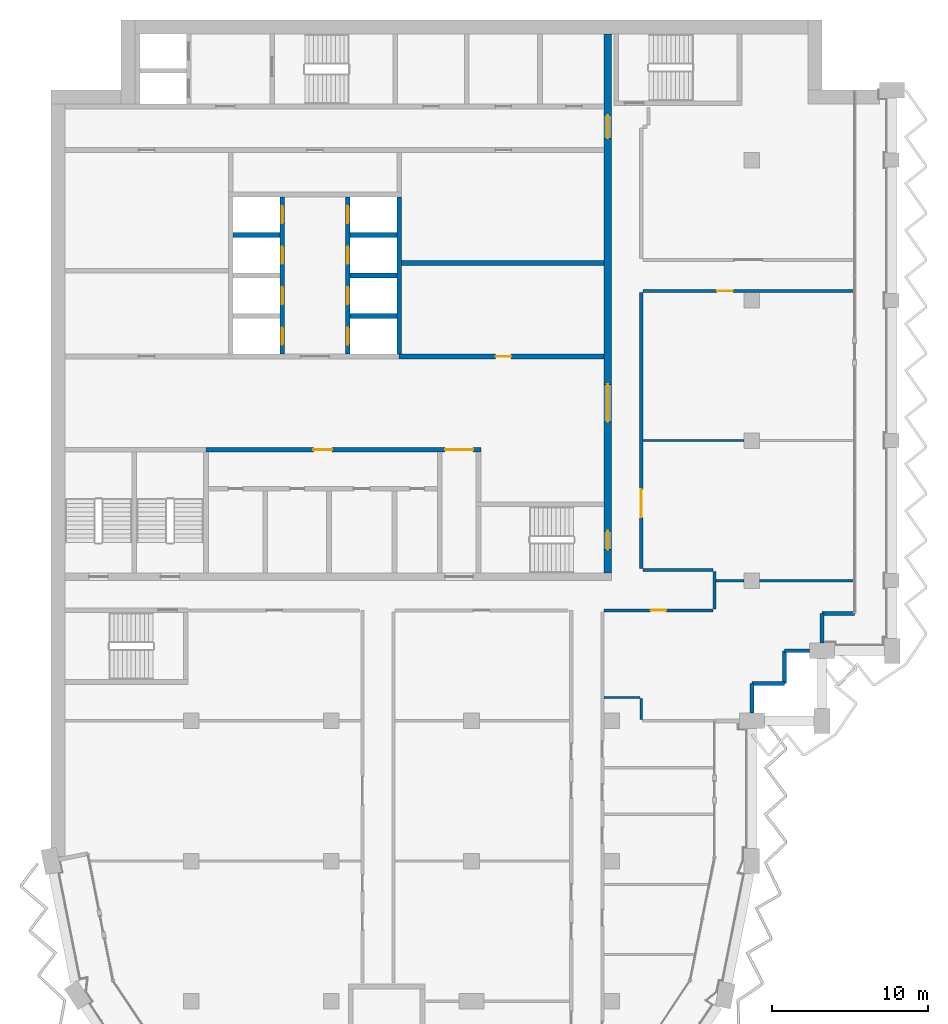
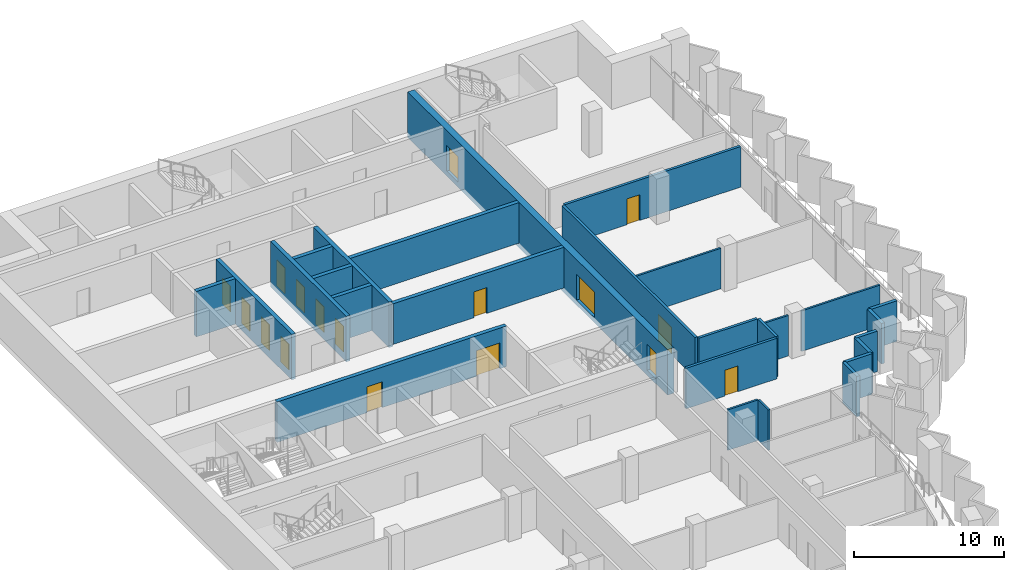
# One storey, part 9 of 16: 27 walls, 17 doors, 17 openings.
"""IFC4 building model written with IfcOpenShell, lengths in metres."""

from ifc_helpers import new_model, si_unit, direction, frame, frame_2d, origin, place, context, subcontext, project, spatial, rectangle, extrude, material, layer, layer_set, type_object, element, fill, save


model = new_model("IFC4")

# Units and contexts
model_context = context("Model", 3, precision=1e-05, world=origin(), true_north=direction((0.0, 1.0)))
body_context = subcontext(model_context, "Body", "Model", "MODEL_VIEW")
ifc_project = project(units=[si_unit("LENGTHUNIT", "METRE"), si_unit("AREAUNIT", "SQUARE_METRE"), si_unit("VOLUMEUNIT", "CUBIC_METRE"), si_unit("PLANEANGLEUNIT", "RADIAN"), si_unit("MASSUNIT", "GRAM", prefix="KILO")], contexts=[model_context])

# Site, building, storey
site_placement = place(None, origin())
site = spatial("IfcSite", under=ifc_project, at=site_placement, CompositionType="ELEMENT")
building_placement = place(site_placement, origin())
building = spatial("IfcBuilding", under=site, at=building_placement, Name="Hunhe Ridgeline Campus", CompositionType="ELEMENT")
storey_placement = place(building_placement, frame((0.0, 0.0, 257.699951171875)))
storey = spatial("IfcBuildingStorey", under=building, at=storey_placement, Name="L66", CompositionType="ELEMENT", Elevation=257.699951171875)

# Wall, openings, doors
ifc_material_1 = material(Name="Masonry concrete blockwork", Category="masonry")
ifc_layer_1 = layer(ifc_material_1, 0.300048828125)
ifc_layer_set_1 = layer_set([ifc_layer_1], Name="Core room partition 300 concrete block")
wall_type_1 = type_object("IfcWallType", Name="Core room partition 300 concrete block", PredefinedType="PARTITIONING", material=ifc_layer_set_1)
wall_1_placement = place(storey_placement, frame((9.949951171875, 71.39990234375, 0.0), z_axis=(0.0, 0.0, 1.0), x_axis=(1.0, 0.0, 0.0)))
wall_1 = element("IfcWall", 1, at=wall_1_placement, inside=storey, type_object=wall_type_1, Name="L66 core partition 9", PredefinedType="PARTITIONING", context=body_context, shape_type="SweptSolid", body=[
    extrude(rectangle(XDim=17.650146484375, YDim=0.300048828125, at=frame_2d((8.8251953125, 0.0))), origin(), (0.0, 0.0, 1.0), 3.300048828125),
])
opening_1_placement = place(wall_1_placement, frame((15.35009765625, 0.0, 0.0)))
opening_1 = element("IfcOpeningElement", 2, at=opening_1_placement, cuts=wall_1, Name="Opening CD7", PredefinedType="OPENING", context=body_context, shape_type="SweptSolid", body=[
    extrude(rectangle(XDim=1.800048828125, YDim=2.10009765625, at=frame_2d((0.89990234375, 1.050048828125))), frame((0.0, 0.14990234375, 0.0), z_axis=(0.0, -1.0, 0.0), x_axis=(1.0, 0.0, 0.0)), (0.0, 0.0, 1.0), 0.300048828125),
])
opening_2_placement = place(wall_1_placement, frame((6.89990234375, 0.0, 0.0)))
opening_2 = element("IfcOpeningElement", 3, at=opening_2_placement, cuts=wall_1, Name="Opening CD37", PredefinedType="OPENING", context=body_context, shape_type="SweptSolid", body=[
    extrude(rectangle(XDim=1.199951171875, YDim=2.10009765625, at=frame_2d((0.60009765625, 1.050048828125))), frame((0.0, 0.14990234375, 0.0), z_axis=(0.0, -1.0, 0.0), x_axis=(1.0, 0.0, 0.0)), (0.0, 0.0, 1.0), 0.300048828125),
])
ifc_material_2 = material(Name="Anodised aluminium and glass", Category="aluminium")
door_type_1 = type_object("IfcDoorType", Name="Glazed double door 1800x2100", OperationType="DOUBLE_DOOR_SINGLE_SWING", PredefinedType="DOOR", material=ifc_material_2)
door_1_placement = place(opening_1_placement, origin())
door_1 = element("IfcDoor", 4, at=door_1_placement, inside=storey, type_object=door_type_1, Name="L66 door VEST-HALL", OperationType="DOUBLE_DOOR_SINGLE_SWING", OverallHeight=2.10009765625, OverallWidth=1.800048828125, PredefinedType="DOOR", context=body_context, shape_type="SweptSolid", body=[
    extrude(rectangle(XDim=1.800048828125, YDim=2.10009765625, at=frame_2d((0.89990234375, 1.050048828125))), frame((0.0, 0.02490234375, 0.0), z_axis=(0.0, -1.0, 0.0), x_axis=(1.0, 0.0, 0.0)), (0.0, 0.0, 1.0), 0.050048828125),
])
fill(opening_1, door_1)
ifc_material_3 = material(Name="Solid core timber door leaf", Category="wood")
door_type_2 = type_object("IfcDoorType", Name="Timber door 1200x2100", OperationType="SINGLE_SWING_LEFT", PredefinedType="DOOR", material=ifc_material_3)
door_2_placement = place(opening_2_placement, origin())
door_2 = element("IfcDoor", 5, at=door_2_placement, inside=storey, type_object=door_type_2, Name="L66 door WCL1-HALL", OperationType="SINGLE_SWING_RIGHT", OverallHeight=2.10009765625, OverallWidth=1.199951171875, PredefinedType="DOOR", context=body_context, shape_type="SweptSolid", body=[
    extrude(rectangle(XDim=1.199951171875, YDim=2.10009765625, at=frame_2d((0.60009765625, 1.050048828125))), frame((0.0, 0.02490234375, 0.0), z_axis=(0.0, -1.0, 0.0), x_axis=(1.0, 0.0, 0.0)), (0.0, 0.0, 1.0), 0.050048828125),
])
fill(opening_2, door_2)

# Wall, opening, door
wall_2_placement = place(storey_placement, frame((22.35009765625, 77.39990234375, 0.0), z_axis=(0.0, 0.0, 1.0), x_axis=(1.0, 0.0, 0.0)))
wall_2 = element("IfcWall", 6, at=wall_2_placement, inside=storey, type_object=wall_type_1, Name="L66 core partition 11", PredefinedType="PARTITIONING", context=body_context, shape_type="SweptSolid", body=[
    extrude(rectangle(XDim=13.14990234375, YDim=0.300048828125, at=frame_2d((6.574951171875, 0.0))), origin(), (0.0, 0.0, 1.0), 3.300048828125),
])
opening_3_placement = place(wall_2_placement, frame((6.199951171875, 0.0, 0.0)))
opening_3 = element("IfcOpeningElement", 7, at=opening_3_placement, cuts=wall_2, Name="Opening CD32", PredefinedType="OPENING", context=body_context, shape_type="SweptSolid", body=[
    extrude(rectangle(XDim=1.0, YDim=2.10009765625, at=frame_2d((0.5, 1.050048828125))), frame((0.0, 0.14990234375, 0.0), z_axis=(0.0, -1.0, 0.0), x_axis=(1.0, 0.0, 0.0)), (0.0, 0.0, 1.0), 0.300048828125),
])
door_type_3 = type_object("IfcDoorType", Name="Timber door 1000x2100", OperationType="SINGLE_SWING_LEFT", PredefinedType="DOOR", material=ifc_material_3)
door_3_placement = place(opening_3_placement, origin())
door_3 = element("IfcDoor", 8, at=door_3_placement, inside=storey, type_object=door_type_3, Name="L66 door ES0", OperationType="SINGLE_SWING_LEFT", OverallHeight=2.10009765625, OverallWidth=1.0, PredefinedType="DOOR", context=body_context, shape_type="SweptSolid", body=[
    extrude(rectangle(XDim=1.0, YDim=2.10009765625, at=frame_2d((0.5, 1.050048828125))), frame((0.0, 0.02490234375, 0.0), z_axis=(0.0, -1.0, 0.0), x_axis=(1.0, 0.0, 0.0)), (0.0, 0.0, 1.0), 0.050048828125),
])
fill(opening_3, door_3)

# Wall
wall_3_placement = place(storey_placement, frame((22.5, 83.39990234375, 0.0), z_axis=(0.0, 0.0, 1.0), x_axis=(1.0, 0.0, 0.0)))
element("IfcWall", 9, at=wall_3_placement, inside=storey, type_object=wall_type_1, Name="L66 core partition 17", PredefinedType="PARTITIONING", context=body_context, shape_type="SweptSolid", body=[
    extrude(rectangle(XDim=13.0, YDim=0.300048828125, at=frame_2d((6.5, 0.0))), origin(), (0.0, 0.0, 1.0), 3.300048828125),
])

# Wall, openings, doors
ifc_material_4 = material(Name="Concrete C50", Category="concrete")
ifc_layer_2 = layer(ifc_material_4, 0.5)
ifc_layer_set_2 = layer_set([ifc_layer_2], Name="Core wall 500 reinforced concrete C50")
wall_type_2 = type_object("IfcWallType", Name="Core wall 500 reinforced concrete C50", PredefinedType="SOLIDWALL", material=ifc_layer_set_2)
wall_4_placement = place(storey_placement, frame((35.75, 63.5, -0.39990234375), z_axis=(0.0, 0.0, 1.0), x_axis=(0.0, 1.0, 0.0)))
wall_4 = element("IfcWall", 10, at=wall_4_placement, inside=storey, type_object=wall_type_2, Name="L66 core wall 48", PredefinedType="SOLIDWALL", context=body_context, shape_type="SweptSolid", body=[
    extrude(rectangle(XDim=34.60009765625, YDim=0.5, at=frame_2d((17.300048828125, 0.0))), origin(), (0.0, 0.0, 1.0), 3.699951171875),
])
opening_4_placement = place(wall_4_placement, frame((9.699951171875, 0.0, 0.39990234375)))
opening_4 = element("IfcOpeningElement", 11, at=opening_4_placement, cuts=wall_4, Name="Opening CD4", PredefinedType="OPENING", context=body_context, shape_type="SweptSolid", body=[
    extrude(rectangle(XDim=2.39990234375, YDim=2.10009765625, at=frame_2d((1.199951171875, 1.050048828125))), frame((0.0, 0.25, 0.0), z_axis=(0.0, -1.0, 0.0), x_axis=(1.0, 0.0, 0.0)), (0.0, 0.0, 1.0), 0.5),
])
opening_5_placement = place(wall_4_placement, frame((27.89990234375, 0.0, 0.39990234375)))
opening_5 = element("IfcOpeningElement", 12, at=opening_5_placement, cuts=wall_4, Name="Opening CD5", PredefinedType="OPENING", context=body_context, shape_type="SweptSolid", body=[
    extrude(rectangle(XDim=1.5, YDim=2.10009765625, at=frame_2d((0.75, 1.050048828125))), frame((0.0, 0.25, 0.0), z_axis=(0.0, -1.0, 0.0), x_axis=(1.0, 0.0, 0.0)), (0.0, 0.0, 1.0), 0.5),
])
opening_6_placement = place(wall_4_placement, frame((1.5, 0.0, 0.39990234375)))
opening_6 = element("IfcOpeningElement", 13, at=opening_6_placement, cuts=wall_4, Name="Opening CD15", PredefinedType="OPENING", context=body_context, shape_type="SweptSolid", body=[
    extrude(rectangle(XDim=1.199951171875, YDim=2.10009765625, at=frame_2d((0.60009765625, 1.050048828125))), frame((0.0, 0.25, 0.0), z_axis=(0.0, -1.0, 0.0), x_axis=(1.0, 0.0, 0.0)), (0.0, 0.0, 1.0), 0.5),
])
door_type_4 = type_object("IfcDoorType", Name="Glazed double door 2400x2100", OperationType="DOUBLE_DOOR_SINGLE_SWING", PredefinedType="DOOR", material=ifc_material_2)
door_4_placement = place(opening_4_placement, frame((2.39990234375, 0.0, 0.0), z_axis=(0.0, 0.0, 1.0), x_axis=(-1.0, 0.0, 0.0)))
door_4 = element("IfcDoor", 14, at=door_4_placement, inside=storey, type_object=door_type_4, Name="L66 door HALL-FLOOR", OperationType="DOUBLE_DOOR_SINGLE_SWING", OverallHeight=2.10009765625, OverallWidth=2.39990234375, PredefinedType="DOOR", context=body_context, shape_type="SweptSolid", body=[
    extrude(rectangle(XDim=2.39990234375, YDim=2.10009765625, at=frame_2d((1.199951171875, 1.050048828125))), frame((0.0, 0.02490234375, 0.0), z_axis=(0.0, -1.0, 0.0), x_axis=(1.0, 0.0, 0.0)), (0.0, 0.0, 1.0), 0.050048828125),
])
fill(opening_4, door_4)
ifc_material_5 = material(Name="Hollow metal fire door leaf")
door_type_5 = type_object("IfcDoorType", Name="Stair door 1200x2100 FD60", OperationType="SINGLE_SWING_LEFT", PredefinedType="DOOR", material=ifc_material_5)
door_5_placement = place(opening_6_placement, frame((1.199951171875, 0.0, 0.0), z_axis=(0.0, 0.0, 1.0), x_axis=(-1.0, 0.0, 0.0)))
door_5 = element("IfcDoor", 15, at=door_5_placement, inside=storey, type_object=door_type_5, Name="L66 door S2-FLOOR", OperationType="SINGLE_SWING_LEFT", OverallHeight=2.10009765625, OverallWidth=1.199951171875, PredefinedType="DOOR", context=body_context, shape_type="SweptSolid", body=[
    extrude(rectangle(XDim=1.199951171875, YDim=2.10009765625, at=frame_2d((0.60009765625, 1.050048828125))), frame((0.0, 0.02490234375, 0.0), z_axis=(0.0, -1.0, 0.0), x_axis=(1.0, 0.0, 0.0)), (0.0, 0.0, 1.0), 0.050048828125),
])
fill(opening_6, door_5)
door_type_6 = type_object("IfcDoorType", Name="Timber door 1500x2100", OperationType="SINGLE_SWING_LEFT", PredefinedType="DOOR", material=ifc_material_3)
door_6_placement = place(opening_5_placement, frame((1.5, 0.0, 0.0), z_axis=(0.0, 0.0, 1.0), x_axis=(-1.0, 0.0, 0.0)))
door_6 = element("IfcDoor", 16, at=door_6_placement, inside=storey, type_object=door_type_6, Name="L66 door C1-FLOOR", OperationType="SINGLE_SWING_LEFT", OverallHeight=2.10009765625, OverallWidth=1.5, PredefinedType="DOOR", context=body_context, shape_type="SweptSolid", body=[
    extrude(rectangle(XDim=1.5, YDim=2.10009765625, at=frame_2d((0.75, 1.050048828125))), frame((0.0, 0.02490234375, 0.0), z_axis=(0.0, -1.0, 0.0), x_axis=(1.0, 0.0, 0.0)), (0.0, 0.0, 1.0), 0.050048828125),
])
fill(opening_5, door_6)

# Walls
ifc_material_6 = material(Name="Concrete C30", Category="concrete")
ifc_layer_3 = layer(ifc_material_6, 0.25)
ifc_layer_set_3 = layer_set([ifc_layer_3], Name="Corner return wall 250 Concrete C30")
wall_type_3 = type_object("IfcWallType", Name="Corner return wall 250 Concrete C30", PredefinedType="SOLIDWALL", material=ifc_layer_set_3)
wall_5_placement = place(storey_placement, frame((44.9990234375, 54.5, 0.0), z_axis=(0.0, 0.0, 1.0), x_axis=(0.000128452151, 0.99999999175, 0.0)))
element("IfcWall", 17, at=wall_5_placement, inside=storey, type_object=wall_type_3, Name="Corner return wall 3", PredefinedType="SOLIDWALL", context=body_context, shape_type="SweptSolid", body=[
    extrude(rectangle(XDim=1.900634765625, YDim=0.25, at=frame_2d((0.9501953125, 0.0))), origin(), (0.0, 0.0, 1.0), 3.300048828125),
])
wall_6_placement = place(storey_placement, frame((44.999267578125, 56.400634765625, 0.0), z_axis=(0.0, 0.0, 1.0), x_axis=(0.999999993241, 0.00011626555, 0.0)))
element("IfcWall", 18, at=wall_6_placement, inside=storey, type_object=wall_type_3, Name="Corner return wall 4", PredefinedType="SOLIDWALL", context=body_context, shape_type="SweptSolid", body=[
    extrude(rectangle(XDim=2.099853515625, YDim=0.25, at=frame_2d((1.0498046875, 0.0))), origin(), (0.0, 0.0, 1.0), 3.300048828125),
])
wall_7_placement = place(storey_placement, frame((47.09912109375, 56.40087890625, 0.0), z_axis=(0.0, 0.0, 1.0), x_axis=(0.000232504063, 0.999999972971, 0.0)))
element("IfcWall", 19, at=wall_7_placement, inside=storey, type_object=wall_type_3, Name="Corner return wall 5", PredefinedType="SOLIDWALL", context=body_context, shape_type="SweptSolid", body=[
    extrude(rectangle(XDim=2.10009765625, YDim=0.25, at=frame_2d((1.050048828125, 0.0))), origin(), (0.0, 0.0, 1.0), 3.300048828125),
])
wall_8_placement = place(storey_placement, frame((47.099609375, 58.5009765625, 0.0), z_axis=(0.0, 0.0, 1.0), x_axis=(1.0, 0.0, 0.0)))
element("IfcWall", 20, at=wall_8_placement, inside=storey, type_object=wall_type_3, Name="Corner return wall 6", PredefinedType="SOLIDWALL", context=body_context, shape_type="SweptSolid", body=[
    extrude(rectangle(XDim=1.600341796875, YDim=0.25, at=frame_2d((0.80029296875, 0.0))), origin(), (0.0, 0.0, 1.0), 3.300048828125),
])
wall_9_placement = place(storey_placement, frame((49.4990234375, 59.0, 0.0), z_axis=(0.0, 0.0, 1.0), x_axis=(0.000256871299, 0.999999967009, 0.0)))
element("IfcWall", 21, at=wall_9_placement, inside=storey, type_object=wall_type_3, Name="Corner return wall 7", PredefinedType="SOLIDWALL", context=body_context, shape_type="SweptSolid", body=[
    extrude(rectangle(XDim=1.90087890625, YDim=0.25, at=frame_2d((0.950439453125, 0.0))), origin(), (0.0, 0.0, 1.0), 3.300048828125),
])
wall_10_placement = place(storey_placement, frame((49.49951171875, 60.90087890625, 0.0), z_axis=(0.0, 0.0, 1.0), x_axis=(1.0, 0.0, 0.0)))
element("IfcWall", 22, at=wall_10_placement, inside=storey, type_object=wall_type_3, Name="Corner return wall 8", PredefinedType="SOLIDWALL", context=body_context, shape_type="SweptSolid", body=[
    extrude(rectangle(XDim=2.099609375, YDim=0.25, at=frame_2d((1.0498046875, 0.0))), origin(), (0.0, 0.0, 1.0), 3.300048828125),
])

# Wall, opening, door
ifc_material_7 = material(Name="Gypsum board partition")
ifc_layer_4 = layer(ifc_material_7, 0.199951171875)
ifc_layer_set_4 = layer_set([ifc_layer_4], Name="Corridor partition 200 gypsum board on steel studs")
wall_type_4 = type_object("IfcWallType", Name="Corridor partition 200 gypsum board on steel studs", PredefinedType="PARTITIONING", material=ifc_layer_set_4)
wall_11_placement = place(storey_placement, frame((42.5, 61.10009765625, 0.0), z_axis=(0.0, 0.0, 1.0), x_axis=(-1.0, 0.0, 0.0)))
wall_11 = element("IfcWall", 23, at=wall_11_placement, inside=storey, type_object=wall_type_4, Name="F-L66-wall-023", PredefinedType="PARTITIONING", context=body_context, shape_type="SweptSolid", body=[
    extrude(rectangle(XDim=7.0, YDim=0.199951171875, at=frame_2d((3.5, 0.0))), origin(), (0.0, 0.0, 1.0), 3.300048828125),
])
opening_7_placement = place(wall_11_placement, frame((3.0, 0.0, 0.0)))
opening_7 = element("IfcOpeningElement", 24, at=opening_7_placement, cuts=wall_11, Name="Opening RD1-017", PredefinedType="OPENING", context=body_context, shape_type="SweptSolid", body=[
    extrude(rectangle(XDim=1.0, YDim=2.10009765625, at=frame_2d((0.5, 1.050048828125))), frame((0.0, 0.10009765625, 0.0), z_axis=(0.0, -1.0, 0.0), x_axis=(1.0, 0.0, 0.0)), (0.0, 0.0, 1.0), 0.199951171875),
])
ifc_material_8 = material(Name="Timber door leaf", Category="wood")
door_type_7 = type_object("IfcDoorType", Name="Single fire door 1000x2100 timber FD60", OperationType="NOTDEFINED", PredefinedType="DOOR", material=ifc_material_8)
door_7_placement = place(opening_7_placement, origin())
door_7 = element("IfcDoor", 25, at=door_7_placement, inside=storey, type_object=door_type_7, Name="F-L66-door-017", OperationType="SINGLE_SWING_LEFT", OverallHeight=2.10009765625, OverallWidth=1.0, PredefinedType="DOOR", context=body_context, shape_type="SweptSolid", body=[
    extrude(rectangle(XDim=1.0, YDim=2.10009765625, at=frame_2d((0.5, 1.050048828125))), frame((0.0, 0.02490234375, 0.0), z_axis=(0.0, -1.0, 0.0), x_axis=(1.0, 0.0, 0.0)), (0.0, 0.0, 1.0), 0.050048828125),
])
fill(opening_7, door_7)

# Wall
wall_12_placement = place(storey_placement, frame((38.0, 63.699951171875, 0.0), z_axis=(0.0, 0.0, 1.0), x_axis=(1.0, 0.0, 0.0)))
element("IfcWall", 26, at=wall_12_placement, inside=storey, type_object=wall_type_4, Name="F-L66-wall-026", PredefinedType="PARTITIONING", context=body_context, shape_type="SweptSolid", body=[
    extrude(rectangle(XDim=4.5, YDim=0.199951171875, at=frame_2d((2.25, 0.0))), origin(), (0.0, 0.0, 1.0), 3.300048828125),
])

# Wall, opening, door
wall_13_placement = place(storey_placement, frame((51.544921875, 81.60009765625, 0.0), z_axis=(0.0, 0.0, 1.0), x_axis=(-1.0, 0.0, 0.0)))
wall_13 = element("IfcWall", 27, at=wall_13_placement, inside=storey, type_object=wall_type_4, Name="F-L66-wall-029", PredefinedType="PARTITIONING", context=body_context, shape_type="SweptSolid", body=[
    extrude(rectangle(XDim=13.544921875, YDim=0.199951171875, at=frame_2d((6.7724609375, 0.0))), origin(), (0.0, 0.0, 1.0), 3.300048828125),
])
opening_8_placement = place(wall_13_placement, frame((7.7724609375, 0.0, 0.0)))
opening_8 = element("IfcOpeningElement", 28, at=opening_8_placement, cuts=wall_13, Name="Opening RD1-019", PredefinedType="OPENING", context=body_context, shape_type="SweptSolid", body=[
    extrude(rectangle(XDim=1.0, YDim=2.10009765625, at=frame_2d((0.5, 1.050048828125))), frame((0.0, 0.10009765625, 0.0), z_axis=(0.0, -1.0, 0.0), x_axis=(1.0, 0.0, 0.0)), (0.0, 0.0, 1.0), 0.199951171875),
])
door_8_placement = place(opening_8_placement, origin())
door_8 = element("IfcDoor", 29, at=door_8_placement, inside=storey, type_object=door_type_7, Name="F-L66-door-019", OperationType="SINGLE_SWING_RIGHT", OverallHeight=2.10009765625, OverallWidth=1.0, PredefinedType="DOOR", context=body_context, shape_type="SweptSolid", body=[
    extrude(rectangle(XDim=1.0, YDim=2.10009765625, at=frame_2d((0.5, 1.050048828125))), frame((0.0, 0.02490234375, 0.0), z_axis=(0.0, -1.0, 0.0), x_axis=(1.0, 0.0, 0.0)), (0.0, 0.0, 1.0), 0.050048828125),
])
fill(opening_8, door_8)

wall_14_placement = place(storey_placement, frame((37.89990234375, 81.5, 0.0), z_axis=(0.0, 0.0, 1.0), x_axis=(0.0, -1.0, 0.0)))
wall_14 = element("IfcWall", 30, at=wall_14_placement, inside=storey, type_object=wall_type_4, Name="F-L66-wall-039", PredefinedType="PARTITIONING", context=body_context, shape_type="SweptSolid", body=[
    extrude(rectangle(XDim=17.699951171875, YDim=0.199951171875, at=frame_2d((8.85009765625, 0.0))), origin(), (0.0, 0.0, 1.0), 3.300048828125),
])
opening_9_placement = place(wall_14_placement, frame((12.6279296875, 0.0, 0.0)))
opening_9 = element("IfcOpeningElement", 31, at=opening_9_placement, cuts=wall_14, Name="Opening RD2-018", PredefinedType="OPENING", context=body_context, shape_type="SweptSolid", body=[
    extrude(rectangle(XDim=1.800048828125, YDim=2.10009765625, at=frame_2d((0.89990234375, 1.050048828125))), frame((0.0, 0.10009765625, 0.0), z_axis=(0.0, -1.0, 0.0), x_axis=(1.0, 0.0, 0.0)), (0.0, 0.0, 1.0), 0.199951171875),
])
door_type_8 = type_object("IfcDoorType", Name="Double fire door 1800x2100 timber FD60", OperationType="DOUBLE_DOOR_SINGLE_SWING", PredefinedType="DOOR", material=ifc_material_8)
door_9_placement = place(opening_9_placement, origin())
door_9 = element("IfcDoor", 32, at=door_9_placement, inside=storey, type_object=door_type_8, Name="F-L66-door-018", OperationType="DOUBLE_DOOR_SINGLE_SWING", OverallHeight=2.10009765625, OverallWidth=1.800048828125, PredefinedType="DOOR", context=body_context, shape_type="SweptSolid", body=[
    extrude(rectangle(XDim=1.800048828125, YDim=2.10009765625, at=frame_2d((0.89990234375, 1.050048828125))), frame((0.0, 0.02490234375, 0.0), z_axis=(0.0, -1.0, 0.0), x_axis=(1.0, 0.0, 0.0)), (0.0, 0.0, 1.0), 0.050048828125),
])
fill(opening_9, door_9)

# Walls
wall_15_placement = place(storey_placement, frame((42.60009765625, 63.60009765625, 0.0), z_axis=(0.0, 0.0, 1.0), x_axis=(0.0, -1.0, 0.0)))
element("IfcWall", 33, at=wall_15_placement, inside=storey, type_object=wall_type_4, Name="F-L66-wall-042", PredefinedType="PARTITIONING", context=body_context, shape_type="SweptSolid", body=[
    extrude(rectangle(XDim=2.400146484375, YDim=0.199951171875, at=frame_2d((1.2001953125, 0.0))), origin(), (0.0, 0.0, 1.0), 3.300048828125),
])
ifc_layer_5 = layer(ifc_material_7, 0.14990234375)
ifc_layer_set_5 = layer_set([ifc_layer_5], Name="Room partition 150 gypsum board on steel studs")
wall_type_5 = type_object("IfcWallType", Name="Room partition 150 gypsum board on steel studs", PredefinedType="PARTITIONING", material=ifc_layer_set_5)
wall_16_placement = place(storey_placement, frame((35.5, 55.5, 0.0), z_axis=(0.0, 0.0, 1.0), x_axis=(1.0, 0.0, 0.0)))
element("IfcWall", 34, at=wall_16_placement, inside=storey, type_object=wall_type_5, Name="F-L66-wall-020", PredefinedType="PARTITIONING", context=body_context, shape_type="SweptSolid", body=[
    extrude(rectangle(XDim=2.324951171875, YDim=0.14990234375, at=frame_2d((1.16259765625, 0.0))), origin(), (0.0, 0.0, 1.0), 3.300048828125),
])
wall_17_placement = place(storey_placement, frame((42.699951171875, 63.0, 0.0), z_axis=(0.0, 0.0, 1.0), x_axis=(1.0, 0.0, 0.0)))
element("IfcWall", 35, at=wall_17_placement, inside=storey, type_object=wall_type_5, Name="F-L66-wall-024", PredefinedType="PARTITIONING", context=body_context, shape_type="SweptSolid", body=[
    extrude(rectangle(XDim=1.800048828125, YDim=0.14990234375, at=frame_2d((0.89990234375, 0.0))), origin(), (0.0, 0.0, 1.0), 3.300048828125),
])
wall_18_placement = place(storey_placement, frame((45.5, 63.0, 0.0), z_axis=(0.0, 0.0, 1.0), x_axis=(1.0, 0.0, 0.0)))
element("IfcWall", 36, at=wall_18_placement, inside=storey, type_object=wall_type_5, Name="F-L66-wall-025", PredefinedType="PARTITIONING", context=body_context, shape_type="SweptSolid", body=[
    extrude(rectangle(XDim=6.044921875, YDim=0.14990234375, at=frame_2d((3.0224609375, 0.0))), origin(), (0.0, 0.0, 1.0), 3.300048828125),
])
wall_19_placement = place(storey_placement, frame((38.0, 72.0, 0.0), z_axis=(0.0, 0.0, 1.0), x_axis=(1.0, 0.0, 0.0)))
element("IfcWall", 37, at=wall_19_placement, inside=storey, type_object=wall_type_5, Name="F-L66-wall-027", PredefinedType="PARTITIONING", context=body_context, shape_type="SweptSolid", body=[
    extrude(rectangle(XDim=6.5, YDim=0.14990234375, at=frame_2d((3.25, 0.0))), origin(), (0.0, 0.0, 1.0), 3.300048828125),
])
wall_20_placement = place(storey_placement, frame((37.89990234375, 55.425048828125, 0.0), z_axis=(0.0, 0.0, 1.0), x_axis=(0.0, -1.0, 0.0)))
element("IfcWall", 38, at=wall_20_placement, inside=storey, type_object=wall_type_5, Name="F-L66-wall-038", PredefinedType="PARTITIONING", context=body_context, shape_type="SweptSolid", body=[
    extrude(rectangle(XDim=1.35009765625, YDim=0.14990234375, at=frame_2d((0.675048828125, 0.0))), origin(), (0.0, 0.0, 1.0), 3.300048828125),
])
ifc_layer_6 = layer(ifc_material_4, 0.300048828125)
ifc_layer_set_6 = layer_set([ifc_layer_6], Name="Shaft wall 300 reinforced concrete C50")
wall_type_6 = type_object("IfcWallType", Name="Shaft wall 300 reinforced concrete C50", PredefinedType="SOLIDWALL", material=ifc_layer_set_6)
for number, where, z_axis, x_axis, name in (
    (39, (19.199951171875, 80.0, -0.39990234375), (0.0, 0.0, 1.0), (1.0, 0.0, 0.0), "L66 core wall 13"),
    (40, (19.199951171875, 82.60009765625, -0.39990234375), (0.0, 0.0, 1.0), (1.0, 0.0, 0.0), "L66 core wall 15"),
    (41, (11.699951171875, 85.199951171875, -0.39990234375), (0.0, 0.0, 1.0), (1.0, 0.0, 0.0), "L66 core wall 18"),
    (42, (19.199951171875, 85.199951171875, -0.39990234375), (0.0, 0.0, 1.0), (1.0, 0.0, 0.0), "L66 core wall 19"),
):
    element("IfcWall", number, at=place(storey_placement, frame(where, z_axis=z_axis, x_axis=x_axis)), inside=storey, type_object=wall_type_6, Name=name, PredefinedType="SOLIDWALL", context=body_context, shape_type="SweptSolid", body=[
        extrude(rectangle(XDim=3.0, YDim=0.300048828125, at=frame_2d((1.5, 0.0))), origin(), (0.0, 0.0, 1.0), 3.699951171875),
    ])

# Wall, openings, doors
wall_21_placement = place(storey_placement, frame((14.85009765625, 77.550048828125, -0.39990234375), z_axis=(0.0, 0.0, 1.0), x_axis=(0.0, 1.0, 0.0)))
wall_21 = element("IfcWall", 43, at=wall_21_placement, inside=storey, type_object=wall_type_6, Name="L66 core wall 34", PredefinedType="SOLIDWALL", context=body_context, shape_type="SweptSolid", body=[
    extrude(rectangle(XDim=10.099853515625, YDim=0.300048828125, at=frame_2d((5.0498046875, 0.0))), origin(), (0.0, 0.0, 1.0), 3.699951171875),
])
opening_10_placement = place(wall_21_placement, frame((0.60009765625, 0.0, 0.39990234375)))
opening_10 = element("IfcOpeningElement", 44, at=opening_10_placement, cuts=wall_21, Name="Opening LD-HR1", PredefinedType="OPENING", context=body_context, shape_type="SweptSolid", body=[
    extrude(rectangle(XDim=1.10009765625, YDim=2.10009765625, at=frame_2d((0.550048828125, 1.050048828125))), frame((0.0, 0.14990234375, 0.0), z_axis=(0.0, -1.0, 0.0), x_axis=(1.0, 0.0, 0.0)), (0.0, 0.0, 1.0), 0.300048828125),
])
opening_11_placement = place(wall_21_placement, frame((3.199951171875, 0.0, 0.39990234375)))
opening_11 = element("IfcOpeningElement", 45, at=opening_11_placement, cuts=wall_21, Name="Opening LD-HR2", PredefinedType="OPENING", context=body_context, shape_type="SweptSolid", body=[
    extrude(rectangle(XDim=1.10009765625, YDim=2.10009765625, at=frame_2d((0.550048828125, 1.050048828125))), frame((0.0, 0.14990234375, 0.0), z_axis=(0.0, -1.0, 0.0), x_axis=(1.0, 0.0, 0.0)), (0.0, 0.0, 1.0), 0.300048828125),
])
opening_12_placement = place(wall_21_placement, frame((5.800048828125, 0.0, 0.39990234375)))
opening_12 = element("IfcOpeningElement", 46, at=opening_12_placement, cuts=wall_21, Name="Opening LD-HR3", PredefinedType="OPENING", context=body_context, shape_type="SweptSolid", body=[
    extrude(rectangle(XDim=1.10009765625, YDim=2.10009765625, at=frame_2d((0.550048828125, 1.050048828125))), frame((0.0, 0.14990234375, 0.0), z_axis=(0.0, -1.0, 0.0), x_axis=(1.0, 0.0, 0.0)), (0.0, 0.0, 1.0), 0.300048828125),
])
opening_13_placement = place(wall_21_placement, frame((8.39990234375, 0.0, 0.39990234375)))
opening_13 = element("IfcOpeningElement", 47, at=opening_13_placement, cuts=wall_21, Name="Opening LD-HR4", PredefinedType="OPENING", context=body_context, shape_type="SweptSolid", body=[
    extrude(rectangle(XDim=1.10009765625, YDim=2.10009765625, at=frame_2d((0.550048828125, 1.050048828125))), frame((0.0, 0.14990234375, 0.0), z_axis=(0.0, -1.0, 0.0), x_axis=(1.0, 0.0, 0.0)), (0.0, 0.0, 1.0), 0.300048828125),
])
ifc_material_9 = material(Name="Stainless steel sliding leaves", Category="steel")
door_type_9 = type_object("IfcDoorType", Name="Landing door 1100x2100 FD120", OperationType="SLIDING_TO_LEFT", PredefinedType="DOOR", material=ifc_material_9)
door_10_placement = place(opening_10_placement, origin())
door_10 = element("IfcDoor", 48, at=door_10_placement, inside=storey, type_object=door_type_9, Name="L66 landing door HR1", OperationType="SLIDING_TO_RIGHT", OverallHeight=2.10009765625, OverallWidth=1.10009765625, PredefinedType="DOOR", context=body_context, shape_type="SweptSolid", body=[
    extrude(rectangle(XDim=1.10009765625, YDim=2.10009765625, at=frame_2d((0.550048828125, 1.050048828125))), frame((0.0, 0.02490234375, 0.0), z_axis=(0.0, -1.0, 0.0), x_axis=(1.0, 0.0, 0.0)), (0.0, 0.0, 1.0), 0.050048828125),
])
fill(opening_10, door_10)
door_11_placement = place(opening_11_placement, origin())
door_11 = element("IfcDoor", 49, at=door_11_placement, inside=storey, type_object=door_type_9, Name="L66 landing door HR2", OperationType="SLIDING_TO_LEFT", OverallHeight=2.10009765625, OverallWidth=1.10009765625, PredefinedType="DOOR", context=body_context, shape_type="SweptSolid", body=[
    extrude(rectangle(XDim=1.10009765625, YDim=2.10009765625, at=frame_2d((0.550048828125, 1.050048828125))), frame((0.0, 0.02490234375, 0.0), z_axis=(0.0, -1.0, 0.0), x_axis=(1.0, 0.0, 0.0)), (0.0, 0.0, 1.0), 0.050048828125),
])
fill(opening_11, door_11)
door_12_placement = place(opening_12_placement, origin())
door_12 = element("IfcDoor", 50, at=door_12_placement, inside=storey, type_object=door_type_9, Name="L66 landing door HR3", OperationType="SLIDING_TO_RIGHT", OverallHeight=2.10009765625, OverallWidth=1.10009765625, PredefinedType="DOOR", context=body_context, shape_type="SweptSolid", body=[
    extrude(rectangle(XDim=1.10009765625, YDim=2.10009765625, at=frame_2d((0.550048828125, 1.050048828125))), frame((0.0, 0.02490234375, 0.0), z_axis=(0.0, -1.0, 0.0), x_axis=(1.0, 0.0, 0.0)), (0.0, 0.0, 1.0), 0.050048828125),
])
fill(opening_12, door_12)
door_13_placement = place(opening_13_placement, origin())
door_13 = element("IfcDoor", 51, at=door_13_placement, inside=storey, type_object=door_type_9, Name="L66 landing door HR4", OperationType="SLIDING_TO_LEFT", OverallHeight=2.10009765625, OverallWidth=1.10009765625, PredefinedType="DOOR", context=body_context, shape_type="SweptSolid", body=[
    extrude(rectangle(XDim=1.10009765625, YDim=2.10009765625, at=frame_2d((0.550048828125, 1.050048828125))), frame((0.0, 0.02490234375, 0.0), z_axis=(0.0, -1.0, 0.0), x_axis=(1.0, 0.0, 0.0)), (0.0, 0.0, 1.0), 0.050048828125),
])
fill(opening_13, door_13)

wall_22_placement = place(storey_placement, frame((19.050048828125, 77.550048828125, -0.39990234375), z_axis=(0.0, 0.0, 1.0), x_axis=(0.0, 1.0, 0.0)))
wall_22 = element("IfcWall", 52, at=wall_22_placement, inside=storey, type_object=wall_type_6, Name="L66 core wall 36", PredefinedType="SOLIDWALL", context=body_context, shape_type="SweptSolid", body=[
    extrude(rectangle(XDim=10.099853515625, YDim=0.300048828125, at=frame_2d((5.0498046875, 0.0))), origin(), (0.0, 0.0, 1.0), 3.699951171875),
])
opening_14_placement = place(wall_22_placement, frame((0.60009765625, 0.0, 0.39990234375)))
opening_14 = element("IfcOpeningElement", 53, at=opening_14_placement, cuts=wall_22, Name="Opening LD-HR5", PredefinedType="OPENING", context=body_context, shape_type="SweptSolid", body=[
    extrude(rectangle(XDim=1.10009765625, YDim=2.10009765625, at=frame_2d((0.550048828125, 1.050048828125))), frame((0.0, 0.14990234375, 0.0), z_axis=(0.0, -1.0, 0.0), x_axis=(1.0, 0.0, 0.0)), (0.0, 0.0, 1.0), 0.300048828125),
])
opening_15_placement = place(wall_22_placement, frame((3.199951171875, 0.0, 0.39990234375)))
opening_15 = element("IfcOpeningElement", 54, at=opening_15_placement, cuts=wall_22, Name="Opening LD-HR6", PredefinedType="OPENING", context=body_context, shape_type="SweptSolid", body=[
    extrude(rectangle(XDim=1.10009765625, YDim=2.10009765625, at=frame_2d((0.550048828125, 1.050048828125))), frame((0.0, 0.14990234375, 0.0), z_axis=(0.0, -1.0, 0.0), x_axis=(1.0, 0.0, 0.0)), (0.0, 0.0, 1.0), 0.300048828125),
])
opening_16_placement = place(wall_22_placement, frame((5.800048828125, 0.0, 0.39990234375)))
opening_16 = element("IfcOpeningElement", 55, at=opening_16_placement, cuts=wall_22, Name="Opening LD-HR7", PredefinedType="OPENING", context=body_context, shape_type="SweptSolid", body=[
    extrude(rectangle(XDim=1.10009765625, YDim=2.10009765625, at=frame_2d((0.550048828125, 1.050048828125))), frame((0.0, 0.14990234375, 0.0), z_axis=(0.0, -1.0, 0.0), x_axis=(1.0, 0.0, 0.0)), (0.0, 0.0, 1.0), 0.300048828125),
])
opening_17_placement = place(wall_22_placement, frame((8.39990234375, 0.0, 0.39990234375)))
opening_17 = element("IfcOpeningElement", 56, at=opening_17_placement, cuts=wall_22, Name="Opening LD-HR8", PredefinedType="OPENING", context=body_context, shape_type="SweptSolid", body=[
    extrude(rectangle(XDim=1.10009765625, YDim=2.10009765625, at=frame_2d((0.550048828125, 1.050048828125))), frame((0.0, 0.14990234375, 0.0), z_axis=(0.0, -1.0, 0.0), x_axis=(1.0, 0.0, 0.0)), (0.0, 0.0, 1.0), 0.300048828125),
])
door_14_placement = place(opening_14_placement, origin())
door_14 = element("IfcDoor", 57, at=door_14_placement, inside=storey, type_object=door_type_9, Name="L66 landing door HR5", OperationType="SLIDING_TO_RIGHT", OverallHeight=2.10009765625, OverallWidth=1.10009765625, PredefinedType="DOOR", context=body_context, shape_type="SweptSolid", body=[
    extrude(rectangle(XDim=1.10009765625, YDim=2.10009765625, at=frame_2d((0.550048828125, 1.050048828125))), frame((0.0, 0.02490234375, 0.0), z_axis=(0.0, -1.0, 0.0), x_axis=(1.0, 0.0, 0.0)), (0.0, 0.0, 1.0), 0.050048828125),
])
fill(opening_14, door_14)
door_15_placement = place(opening_15_placement, origin())
door_15 = element("IfcDoor", 58, at=door_15_placement, inside=storey, type_object=door_type_9, Name="L66 landing door HR6", OperationType="SLIDING_TO_LEFT", OverallHeight=2.10009765625, OverallWidth=1.10009765625, PredefinedType="DOOR", context=body_context, shape_type="SweptSolid", body=[
    extrude(rectangle(XDim=1.10009765625, YDim=2.10009765625, at=frame_2d((0.550048828125, 1.050048828125))), frame((0.0, 0.02490234375, 0.0), z_axis=(0.0, -1.0, 0.0), x_axis=(1.0, 0.0, 0.0)), (0.0, 0.0, 1.0), 0.050048828125),
])
fill(opening_15, door_15)
door_16_placement = place(opening_16_placement, origin())
door_16 = element("IfcDoor", 59, at=door_16_placement, inside=storey, type_object=door_type_9, Name="L66 landing door HR7", OperationType="SLIDING_TO_RIGHT", OverallHeight=2.10009765625, OverallWidth=1.10009765625, PredefinedType="DOOR", context=body_context, shape_type="SweptSolid", body=[
    extrude(rectangle(XDim=1.10009765625, YDim=2.10009765625, at=frame_2d((0.550048828125, 1.050048828125))), frame((0.0, 0.02490234375, 0.0), z_axis=(0.0, -1.0, 0.0), x_axis=(1.0, 0.0, 0.0)), (0.0, 0.0, 1.0), 0.050048828125),
])
fill(opening_16, door_16)
door_17_placement = place(opening_17_placement, origin())
door_17 = element("IfcDoor", 60, at=door_17_placement, inside=storey, type_object=door_type_9, Name="L66 landing door HR8", OperationType="SLIDING_TO_LEFT", OverallHeight=2.10009765625, OverallWidth=1.10009765625, PredefinedType="DOOR", context=body_context, shape_type="SweptSolid", body=[
    extrude(rectangle(XDim=1.10009765625, YDim=2.10009765625, at=frame_2d((0.550048828125, 1.050048828125))), frame((0.0, 0.02490234375, 0.0), z_axis=(0.0, -1.0, 0.0), x_axis=(1.0, 0.0, 0.0)), (0.0, 0.0, 1.0), 0.050048828125),
])
fill(opening_17, door_17)

# Wall
wall_23_placement = place(storey_placement, frame((22.35009765625, 77.550048828125, -0.39990234375), z_axis=(0.0, 0.0, 1.0), x_axis=(0.0, 1.0, 0.0)))
element("IfcWall", 61, at=wall_23_placement, inside=storey, type_object=wall_type_6, Name="L66 core wall 40", PredefinedType="SOLIDWALL", context=body_context, shape_type="SweptSolid", body=[
    extrude(rectangle(XDim=10.099853515625, YDim=0.300048828125, at=frame_2d((5.0498046875, 0.0))), origin(), (0.0, 0.0, 1.0), 3.699951171875),
])

save(model, "model.ifc")
